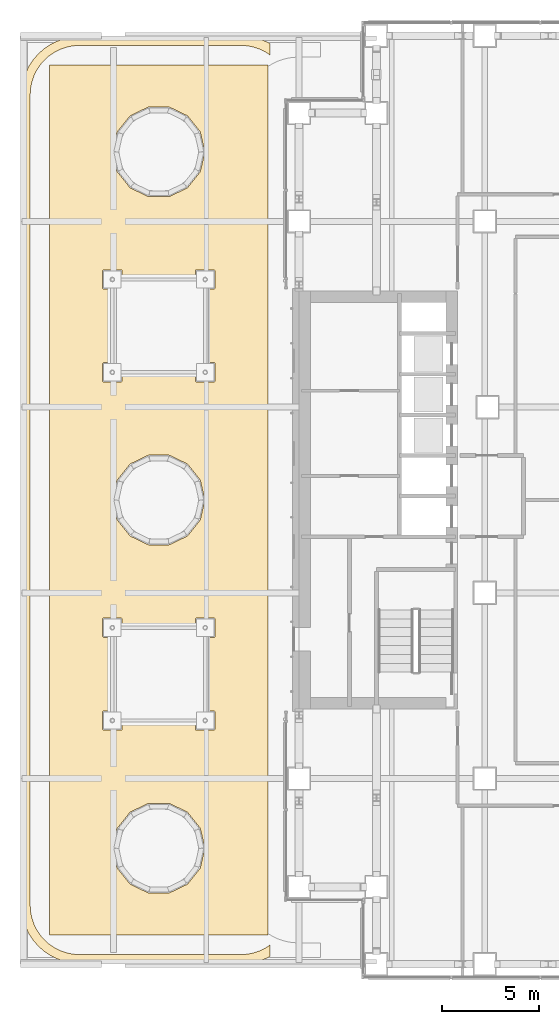
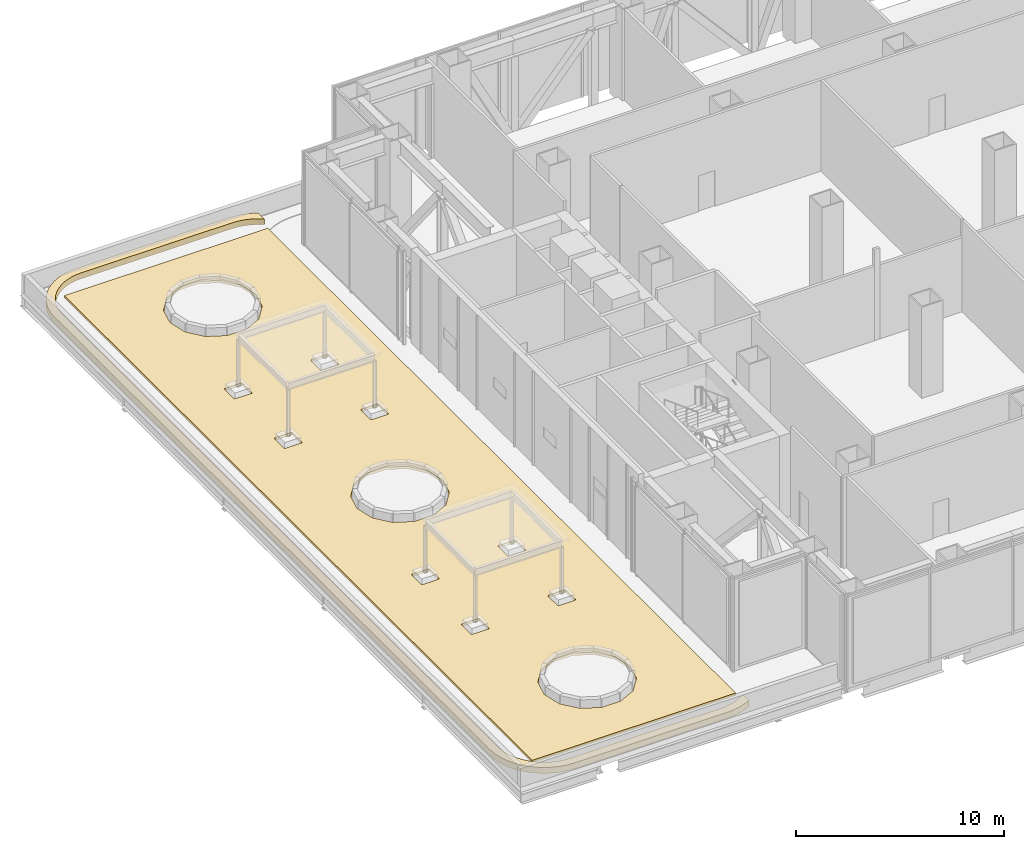
# One storey, part 30 of 39: 2 coverings.
"""IFC4 building model written with IfcOpenShell, lengths in metres."""

from ifc_helpers import new_model, si_unit, direction, frame, origin, place, context, subcontext, project, spatial, polyline, outline, extrude, material, layer, layer_set, type_object, element, save


model = new_model("IFC4")

# Units and contexts
model_context = context("Model", 3, precision=1e-05, world=origin(), true_north=direction((0.0, 1.0)))
body_context = subcontext(model_context, "Body", "Model", "MODEL_VIEW")
ifc_project = project(units=[si_unit("LENGTHUNIT", "METRE"), si_unit("AREAUNIT", "SQUARE_METRE"), si_unit("VOLUMEUNIT", "CUBIC_METRE"), si_unit("PLANEANGLEUNIT", "RADIAN"), si_unit("MASSUNIT", "GRAM", prefix="KILO")], contexts=[model_context])

# Site, building, storey
site_placement = place(None, origin())
site = spatial("IfcSite", under=ifc_project, at=site_placement, CompositionType="ELEMENT")
building_placement = place(site_placement, origin())
building = spatial("IfcBuilding", under=site, at=building_placement, Name="Cobrizo Arcos Hotel Tower", CompositionType="ELEMENT")
storey_placement = place(building_placement, frame((0.0, 0.0, 33.5)))
storey = spatial("IfcBuildingStorey", under=building, at=storey_placement, Name="L06", CompositionType="ELEMENT", Elevation=33.5)

# Coverings
ifc_material_1 = material(Name="Granite paving on sand bed", Category="masonry")
ifc_layer = layer(ifc_material_1, 0.14990234375)
ifc_layer_set = layer_set([ifc_layer], Name="PG-5 terrace paving 150")
covering_type_1 = type_object("IfcCoveringType", Name="PG-5 terrace paving 150", PredefinedType="FLOORING", material=ifc_layer_set)
covering_1_placement = place(storey_placement, origin())
element("IfcCovering", 1, at=covering_1_placement, inside=storey, type_object=covering_type_1, Name="Terrace paving 2", PredefinedType="FLOORING", context=body_context, shape_type="SweptSolid", body=[
    extrude(outline(polyline([(-36.89990234375, 22.5), (-25.60009765625, 22.5), (-25.60009765625, -22.5), (-36.89990234375, -22.5), (-36.89990234375, 22.5)]), holes=[polyline([(-29.309814453125, -11.89892578125), (-29.304931640625, -11.89990234375), (-29.300048828125, -11.89990234375), (-28.39990234375, -11.89990234375), (-28.39501953125, -11.89990234375), (-28.39013671875, -11.89892578125), (-28.385498046875, -11.897705078125), (-28.380859375, -11.896240234375), (-28.37646484375, -11.89404296875), (-28.372314453125, -11.8916015625), (-28.368408203125, -11.888671875), (-28.364501953125, -11.885498046875), (-28.361328125, -11.881591796875), (-28.3583984375, -11.877685546875), (-28.35595703125, -11.87353515625), (-28.353759765625, -11.869140625), (-28.352294921875, -11.864501953125), (-28.35107421875, -11.85986328125), (-28.35009765625, -11.85498046875), (-28.35009765625, -11.85009765625), (-28.35009765625, -10.949951171875), (-28.35009765625, -10.945068359375), (-28.35107421875, -10.940185546875), (-28.352294921875, -10.935546875), (-28.353759765625, -10.930908203125), (-28.35595703125, -10.926513671875), (-28.3583984375, -10.922119140625), (-28.361328125, -10.918212890625), (-28.364501953125, -10.91455078125), (-28.368408203125, -10.911376953125), (-28.372314453125, -10.908447265625), (-28.37646484375, -10.906005859375), (-28.380859375, -10.90380859375), (-28.385498046875, -10.902099609375), (-28.39013671875, -10.90087890625), (-28.39501953125, -10.900146484375), (-28.39990234375, -10.89990234375), (-29.300048828125, -10.89990234375), (-29.304931640625, -10.900146484375), (-29.309814453125, -10.90087890625), (-29.314453125, -10.902099609375), (-29.319091796875, -10.90380859375), (-29.323486328125, -10.906005859375), (-29.327880859375, -10.908447265625), (-29.331787109375, -10.911376953125), (-29.33544921875, -10.91455078125), (-29.338623046875, -10.918212890625), (-29.341552734375, -10.922119140625), (-29.343994140625, -10.926513671875), (-29.34619140625, -10.930908203125), (-29.347900390625, -10.935546875), (-29.34912109375, -10.940185546875), (-29.349853515625, -10.945068359375), (-29.35009765625, -10.949951171875), (-29.35009765625, -11.85009765625), (-29.349853515625, -11.85498046875), (-29.34912109375, -11.85986328125), (-29.347900390625, -11.864501953125), (-29.34619140625, -11.869140625), (-29.343994140625, -11.87353515625), (-29.341552734375, -11.877685546875), (-29.338623046875, -11.881591796875), (-29.33544921875, -11.885498046875), (-29.331787109375, -11.888671875), (-29.327880859375, -11.8916015625), (-29.323486328125, -11.89404296875), (-29.319091796875, -11.896240234375), (-29.314453125, -11.897705078125), (-29.309814453125, -11.89892578125)]), polyline([(-29.314453125, 10.902099609375), (-29.309814453125, 10.90087890625), (-29.304931640625, 10.900146484375), (-29.300048828125, 10.89990234375), (-28.39990234375, 10.89990234375), (-28.39501953125, 10.900146484375), (-28.39013671875, 10.90087890625), (-28.385498046875, 10.902099609375), (-28.380859375, 10.90380859375), (-28.37646484375, 10.906005859375), (-28.372314453125, 10.908447265625), (-28.368408203125, 10.911376953125), (-28.364501953125, 10.91455078125), (-28.361328125, 10.918212890625), (-28.3583984375, 10.922119140625), (-28.35595703125, 10.926513671875), (-28.353759765625, 10.930908203125), (-28.352294921875, 10.935546875), (-28.35107421875, 10.940185546875), (-28.35009765625, 10.945068359375), (-28.35009765625, 10.949951171875), (-28.35009765625, 11.85009765625), (-28.35009765625, 11.85498046875), (-28.35107421875, 11.85986328125), (-28.352294921875, 11.864501953125), (-28.353759765625, 11.869140625), (-28.35595703125, 11.87353515625), (-28.3583984375, 11.877685546875), (-28.361328125, 11.881591796875), (-28.364501953125, 11.885498046875), (-28.368408203125, 11.888671875), (-28.372314453125, 11.8916015625), (-28.37646484375, 11.89404296875), (-28.380859375, 11.896240234375), (-28.385498046875, 11.897705078125), (-28.39013671875, 11.89892578125), (-28.39501953125, 11.89990234375), (-28.39990234375, 11.89990234375), (-29.300048828125, 11.89990234375), (-29.304931640625, 11.89990234375), (-29.309814453125, 11.89892578125), (-29.314453125, 11.897705078125), (-29.319091796875, 11.896240234375), (-29.323486328125, 11.89404296875), (-29.327880859375, 11.8916015625), (-29.331787109375, 11.888671875), (-29.33544921875, 11.885498046875), (-29.338623046875, 11.881591796875), (-29.341552734375, 11.877685546875), (-29.343994140625, 11.87353515625), (-29.34619140625, 11.869140625), (-29.347900390625, 11.864501953125), (-29.34912109375, 11.85986328125), (-29.349853515625, 11.85498046875), (-29.35009765625, 11.85009765625), (-29.35009765625, 10.949951171875), (-29.349853515625, 10.945068359375), (-29.34912109375, 10.940185546875), (-29.347900390625, 10.935546875), (-29.34619140625, 10.930908203125), (-29.343994140625, 10.926513671875), (-29.341552734375, 10.922119140625), (-29.338623046875, 10.918212890625), (-29.33544921875, 10.91455078125), (-29.331787109375, 10.911376953125), (-29.327880859375, 10.908447265625), (-29.323486328125, 10.906005859375), (-29.319091796875, 10.90380859375), (-29.314453125, 10.902099609375)]), polyline([(-29.314453125, 6.102294921875), (-29.309814453125, 6.10107421875), (-29.304931640625, 6.10009765625), (-29.300048828125, 6.10009765625), (-28.39990234375, 6.10009765625), (-28.39501953125, 6.10009765625), (-28.39013671875, 6.10107421875), (-28.385498046875, 6.102294921875), (-28.380859375, 6.103759765625), (-28.37646484375, 6.10595703125), (-28.372314453125, 6.1083984375), (-28.368408203125, 6.111328125), (-28.364501953125, 6.114501953125), (-28.361328125, 6.118408203125), (-28.3583984375, 6.122314453125), (-28.35595703125, 6.12646484375), (-28.353759765625, 6.130859375), (-28.352294921875, 6.135498046875), (-28.35107421875, 6.14013671875), (-28.35009765625, 6.14501953125), (-28.35009765625, 6.14990234375), (-28.35009765625, 7.050048828125), (-28.35009765625, 7.054931640625), (-28.35107421875, 7.059814453125), (-28.352294921875, 7.064453125), (-28.353759765625, 7.069091796875), (-28.35595703125, 7.073486328125), (-28.3583984375, 7.077880859375), (-28.361328125, 7.081787109375), (-28.364501953125, 7.08544921875), (-28.368408203125, 7.088623046875), (-28.372314453125, 7.091552734375), (-28.37646484375, 7.093994140625), (-28.380859375, 7.09619140625), (-28.385498046875, 7.097900390625), (-28.39013671875, 7.09912109375), (-28.39501953125, 7.099853515625), (-28.39990234375, 7.10009765625), (-29.300048828125, 7.10009765625), (-29.304931640625, 7.099853515625), (-29.309814453125, 7.09912109375), (-29.314453125, 7.097900390625), (-29.319091796875, 7.09619140625), (-29.323486328125, 7.093994140625), (-29.327880859375, 7.091552734375), (-29.331787109375, 7.088623046875), (-29.33544921875, 7.08544921875), (-29.338623046875, 7.081787109375), (-29.341552734375, 7.077880859375), (-29.343994140625, 7.073486328125), (-29.34619140625, 7.069091796875), (-29.347900390625, 7.064453125), (-29.34912109375, 7.059814453125), (-29.349853515625, 7.054931640625), (-29.35009765625, 7.050048828125), (-29.35009765625, 6.14990234375), (-29.349853515625, 6.14501953125), (-29.34912109375, 6.14013671875), (-29.347900390625, 6.135498046875), (-29.34619140625, 6.130859375), (-29.343994140625, 6.12646484375), (-29.341552734375, 6.122314453125), (-29.338623046875, 6.118408203125), (-29.33544921875, 6.114501953125), (-29.331787109375, 6.111328125), (-29.327880859375, 6.1083984375), (-29.323486328125, 6.10595703125), (-29.319091796875, 6.103759765625), (-29.314453125, 6.102294921875)]), polyline([(-29.314453125, -7.097900390625), (-29.309814453125, -7.09912109375), (-29.304931640625, -7.099853515625), (-29.300048828125, -7.10009765625), (-28.39990234375, -7.10009765625), (-28.39501953125, -7.099853515625), (-28.39013671875, -7.09912109375), (-28.385498046875, -7.097900390625), (-28.380859375, -7.09619140625), (-28.37646484375, -7.093994140625), (-28.372314453125, -7.091552734375), (-28.368408203125, -7.088623046875), (-28.364501953125, -7.08544921875), (-28.361328125, -7.081787109375), (-28.3583984375, -7.077880859375), (-28.35595703125, -7.073486328125), (-28.353759765625, -7.069091796875), (-28.352294921875, -7.064453125), (-28.35107421875, -7.059814453125), (-28.35009765625, -7.054931640625), (-28.35009765625, -7.050048828125), (-28.35009765625, -6.14990234375), (-28.35009765625, -6.14501953125), (-28.35107421875, -6.14013671875), (-28.352294921875, -6.135498046875), (-28.353759765625, -6.130859375), (-28.35595703125, -6.12646484375), (-28.3583984375, -6.122314453125), (-28.361328125, -6.118408203125), (-28.364501953125, -6.114501953125), (-28.368408203125, -6.111328125), (-28.372314453125, -6.1083984375), (-28.37646484375, -6.10595703125), (-28.380859375, -6.103759765625), (-28.385498046875, -6.102294921875), (-28.39013671875, -6.10107421875), (-28.39501953125, -6.10009765625), (-28.39990234375, -6.10009765625), (-29.300048828125, -6.10009765625), (-29.304931640625, -6.10009765625), (-29.309814453125, -6.10107421875), (-29.314453125, -6.102294921875), (-29.319091796875, -6.103759765625), (-29.323486328125, -6.10595703125), (-29.327880859375, -6.1083984375), (-29.331787109375, -6.111328125), (-29.33544921875, -6.114501953125), (-29.338623046875, -6.118408203125), (-29.341552734375, -6.122314453125), (-29.343994140625, -6.12646484375), (-29.34619140625, -6.130859375), (-29.347900390625, -6.135498046875), (-29.34912109375, -6.14013671875), (-29.349853515625, -6.14501953125), (-29.35009765625, -6.14990234375), (-29.35009765625, -7.050048828125), (-29.349853515625, -7.054931640625), (-29.34912109375, -7.059814453125), (-29.347900390625, -7.064453125), (-29.34619140625, -7.069091796875), (-29.343994140625, -7.073486328125), (-29.341552734375, -7.077880859375), (-29.338623046875, -7.081787109375), (-29.33544921875, -7.08544921875), (-29.331787109375, -7.088623046875), (-29.327880859375, -7.091552734375), (-29.323486328125, -7.093994140625), (-29.319091796875, -7.09619140625), (-29.314453125, -7.097900390625)]), polyline([(-29.10693359375, -1.023193359375), (-29.101318359375, -1.008544921875), (-29.097412109375, -0.993408203125), (-28.87939453125, -0.038818359375), (-28.876708984375, -0.0234375), (-28.875244140625, -0.0078125), (-28.875244140625, 0.0078125), (-28.876708984375, 0.0234375), (-28.87939453125, 0.038818359375), (-29.097412109375, 0.993408203125), (-29.101318359375, 1.008544921875), (-29.10693359375, 1.023193359375), (-29.11376953125, 1.03759765625), (-29.121826171875, 1.051025390625), (-29.131103515625, 1.063720703125), (-29.741455078125, 1.8291015625), (-29.751708984375, 1.841064453125), (-29.76318359375, 1.851806640625), (-29.775390625, 1.861572265625), (-29.78857421875, 1.870361328125), (-29.802490234375, 1.877685546875), (-30.6845703125, 2.302490234375), (-30.698974609375, 2.30859375), (-30.7138671875, 2.3134765625), (-30.729248046875, 2.31689453125), (-30.744873046875, 2.319091796875), (-30.760498046875, 2.31982421875), (-31.739501953125, 2.31982421875), (-31.755126953125, 2.319091796875), (-31.770751953125, 2.31689453125), (-31.7861328125, 2.3134765625), (-31.801025390625, 2.30859375), (-31.8154296875, 2.302490234375), (-32.697509765625, 1.877685546875), (-32.71142578125, 1.870361328125), (-32.724609375, 1.861572265625), (-32.73681640625, 1.851806640625), (-32.748291015625, 1.841064453125), (-32.758544921875, 1.8291015625), (-33.368896484375, 1.063720703125), (-33.378173828125, 1.051025390625), (-33.38623046875, 1.03759765625), (-33.39306640625, 1.023193359375), (-33.398681640625, 1.008544921875), (-33.402587890625, 0.993408203125), (-33.62060546875, 0.038818359375), (-33.623291015625, 0.0234375), (-33.624755859375, 0.0078125), (-33.624755859375, -0.0078125), (-33.623291015625, -0.0234375), (-33.62060546875, -0.038818359375), (-33.402587890625, -0.993408203125), (-33.398681640625, -1.008544921875), (-33.39306640625, -1.023193359375), (-33.38623046875, -1.03759765625), (-33.378173828125, -1.051025390625), (-33.368896484375, -1.063720703125), (-32.758544921875, -1.8291015625), (-32.748291015625, -1.841064453125), (-32.73681640625, -1.851806640625), (-32.724609375, -1.861572265625), (-32.71142578125, -1.870361328125), (-32.697509765625, -1.877685546875), (-31.8154296875, -2.302490234375), (-31.801025390625, -2.30859375), (-31.7861328125, -2.3134765625), (-31.770751953125, -2.31689453125), (-31.755126953125, -2.319091796875), (-31.739501953125, -2.31982421875), (-30.760498046875, -2.31982421875), (-30.744873046875, -2.319091796875), (-30.729248046875, -2.31689453125), (-30.7138671875, -2.3134765625), (-30.698974609375, -2.30859375), (-30.6845703125, -2.302490234375), (-29.802490234375, -1.877685546875), (-29.78857421875, -1.870361328125), (-29.775390625, -1.861572265625), (-29.76318359375, -1.851806640625), (-29.751708984375, -1.841064453125), (-29.741455078125, -1.8291015625), (-29.131103515625, -1.063720703125), (-29.121826171875, -1.051025390625), (-29.11376953125, -1.03759765625), (-29.10693359375, -1.023193359375)]), polyline([(-29.10693359375, -19.023193359375), (-29.101318359375, -19.008544921875), (-29.097412109375, -18.993408203125), (-28.87939453125, -18.038818359375), (-28.876708984375, -18.0234375), (-28.875244140625, -18.0078125), (-28.875244140625, -17.9921875), (-28.876708984375, -17.9765625), (-28.87939453125, -17.961181640625), (-29.097412109375, -17.006591796875), (-29.101318359375, -16.991455078125), (-29.10693359375, -16.976806640625), (-29.11376953125, -16.96240234375), (-29.121826171875, -16.948974609375), (-29.131103515625, -16.936279296875), (-29.741455078125, -16.1708984375), (-29.751708984375, -16.158935546875), (-29.76318359375, -16.148193359375), (-29.775390625, -16.138427734375), (-29.78857421875, -16.129638671875), (-29.802490234375, -16.122314453125), (-30.6845703125, -15.697509765625), (-30.698974609375, -15.69140625), (-30.7138671875, -15.6865234375), (-30.729248046875, -15.68310546875), (-30.744873046875, -15.680908203125), (-30.760498046875, -15.68017578125), (-31.739501953125, -15.68017578125), (-31.755126953125, -15.680908203125), (-31.770751953125, -15.68310546875), (-31.7861328125, -15.6865234375), (-31.801025390625, -15.69140625), (-31.8154296875, -15.697509765625), (-32.697509765625, -16.122314453125), (-32.71142578125, -16.129638671875), (-32.724609375, -16.138427734375), (-32.73681640625, -16.148193359375), (-32.748291015625, -16.158935546875), (-32.758544921875, -16.1708984375), (-33.368896484375, -16.936279296875), (-33.378173828125, -16.948974609375), (-33.38623046875, -16.96240234375), (-33.39306640625, -16.976806640625), (-33.398681640625, -16.991455078125), (-33.402587890625, -17.006591796875), (-33.62060546875, -17.961181640625), (-33.623291015625, -17.9765625), (-33.624755859375, -17.9921875), (-33.624755859375, -18.0078125), (-33.623291015625, -18.0234375), (-33.62060546875, -18.038818359375), (-33.402587890625, -18.993408203125), (-33.398681640625, -19.008544921875), (-33.39306640625, -19.023193359375), (-33.38623046875, -19.03759765625), (-33.378173828125, -19.051025390625), (-33.368896484375, -19.063720703125), (-32.758544921875, -19.8291015625), (-32.748291015625, -19.841064453125), (-32.73681640625, -19.851806640625), (-32.724609375, -19.861572265625), (-32.71142578125, -19.870361328125), (-32.697509765625, -19.877685546875), (-31.8154296875, -20.302490234375), (-31.801025390625, -20.30859375), (-31.7861328125, -20.3134765625), (-31.770751953125, -20.31689453125), (-31.755126953125, -20.319091796875), (-31.739501953125, -20.31982421875), (-30.760498046875, -20.31982421875), (-30.744873046875, -20.319091796875), (-30.729248046875, -20.31689453125), (-30.7138671875, -20.3134765625), (-30.698974609375, -20.30859375), (-30.6845703125, -20.302490234375), (-29.802490234375, -19.877685546875), (-29.78857421875, -19.870361328125), (-29.775390625, -19.861572265625), (-29.76318359375, -19.851806640625), (-29.751708984375, -19.841064453125), (-29.741455078125, -19.8291015625), (-29.131103515625, -19.063720703125), (-29.121826171875, -19.051025390625), (-29.11376953125, -19.03759765625), (-29.10693359375, -19.023193359375)]), polyline([(-29.11376953125, 16.96240234375), (-29.10693359375, 16.976806640625), (-29.101318359375, 16.991455078125), (-29.097412109375, 17.006591796875), (-28.87939453125, 17.961181640625), (-28.876708984375, 17.9765625), (-28.875244140625, 17.9921875), (-28.875244140625, 18.0078125), (-28.876708984375, 18.0234375), (-28.87939453125, 18.038818359375), (-29.097412109375, 18.993408203125), (-29.101318359375, 19.008544921875), (-29.10693359375, 19.023193359375), (-29.11376953125, 19.03759765625), (-29.121826171875, 19.051025390625), (-29.131103515625, 19.063720703125), (-29.741455078125, 19.8291015625), (-29.751708984375, 19.841064453125), (-29.76318359375, 19.851806640625), (-29.775390625, 19.861572265625), (-29.78857421875, 19.870361328125), (-29.802490234375, 19.877685546875), (-30.6845703125, 20.302490234375), (-30.698974609375, 20.30859375), (-30.7138671875, 20.3134765625), (-30.729248046875, 20.31689453125), (-30.744873046875, 20.319091796875), (-30.760498046875, 20.31982421875), (-31.739501953125, 20.31982421875), (-31.755126953125, 20.319091796875), (-31.770751953125, 20.31689453125), (-31.7861328125, 20.3134765625), (-31.801025390625, 20.30859375), (-31.8154296875, 20.302490234375), (-32.697509765625, 19.877685546875), (-32.71142578125, 19.870361328125), (-32.724609375, 19.861572265625), (-32.73681640625, 19.851806640625), (-32.748291015625, 19.841064453125), (-32.758544921875, 19.8291015625), (-33.368896484375, 19.063720703125), (-33.378173828125, 19.051025390625), (-33.38623046875, 19.03759765625), (-33.39306640625, 19.023193359375), (-33.398681640625, 19.008544921875), (-33.402587890625, 18.993408203125), (-33.62060546875, 18.038818359375), (-33.623291015625, 18.0234375), (-33.624755859375, 18.0078125), (-33.624755859375, 17.9921875), (-33.623291015625, 17.9765625), (-33.62060546875, 17.961181640625), (-33.402587890625, 17.006591796875), (-33.398681640625, 16.991455078125), (-33.39306640625, 16.976806640625), (-33.38623046875, 16.96240234375), (-33.378173828125, 16.948974609375), (-33.368896484375, 16.936279296875), (-32.758544921875, 16.1708984375), (-32.748291015625, 16.158935546875), (-32.73681640625, 16.148193359375), (-32.724609375, 16.138427734375), (-32.71142578125, 16.129638671875), (-32.697509765625, 16.122314453125), (-31.8154296875, 15.697509765625), (-31.801025390625, 15.69140625), (-31.7861328125, 15.6865234375), (-31.770751953125, 15.68310546875), (-31.755126953125, 15.680908203125), (-31.739501953125, 15.68017578125), (-30.760498046875, 15.68017578125), (-30.744873046875, 15.680908203125), (-30.729248046875, 15.68310546875), (-30.7138671875, 15.6865234375), (-30.698974609375, 15.69140625), (-30.6845703125, 15.697509765625), (-29.802490234375, 16.122314453125), (-29.78857421875, 16.129638671875), (-29.775390625, 16.138427734375), (-29.76318359375, 16.148193359375), (-29.751708984375, 16.158935546875), (-29.741455078125, 16.1708984375), (-29.131103515625, 16.936279296875), (-29.121826171875, 16.948974609375), (-29.11376953125, 16.96240234375)]), polyline([(-34.10986328125, 10.90087890625), (-34.10498046875, 10.900146484375), (-34.10009765625, 10.89990234375), (-33.199951171875, 10.89990234375), (-33.195068359375, 10.900146484375), (-33.190185546875, 10.90087890625), (-33.185546875, 10.902099609375), (-33.180908203125, 10.90380859375), (-33.176513671875, 10.906005859375), (-33.172119140625, 10.908447265625), (-33.168212890625, 10.911376953125), (-33.16455078125, 10.91455078125), (-33.161376953125, 10.918212890625), (-33.158447265625, 10.922119140625), (-33.156005859375, 10.926513671875), (-33.15380859375, 10.930908203125), (-33.152099609375, 10.935546875), (-33.15087890625, 10.940185546875), (-33.150146484375, 10.945068359375), (-33.14990234375, 10.949951171875), (-33.14990234375, 11.85009765625), (-33.150146484375, 11.85498046875), (-33.15087890625, 11.85986328125), (-33.152099609375, 11.864501953125), (-33.15380859375, 11.869140625), (-33.156005859375, 11.87353515625), (-33.158447265625, 11.877685546875), (-33.161376953125, 11.881591796875), (-33.16455078125, 11.885498046875), (-33.168212890625, 11.888671875), (-33.172119140625, 11.8916015625), (-33.176513671875, 11.89404296875), (-33.180908203125, 11.896240234375), (-33.185546875, 11.897705078125), (-33.190185546875, 11.89892578125), (-33.195068359375, 11.89990234375), (-33.199951171875, 11.89990234375), (-34.10009765625, 11.89990234375), (-34.10498046875, 11.89990234375), (-34.10986328125, 11.89892578125), (-34.114501953125, 11.897705078125), (-34.119140625, 11.896240234375), (-34.12353515625, 11.89404296875), (-34.127685546875, 11.8916015625), (-34.131591796875, 11.888671875), (-34.135498046875, 11.885498046875), (-34.138671875, 11.881591796875), (-34.1416015625, 11.877685546875), (-34.14404296875, 11.87353515625), (-34.146240234375, 11.869140625), (-34.147705078125, 11.864501953125), (-34.14892578125, 11.85986328125), (-34.14990234375, 11.85498046875), (-34.14990234375, 11.85009765625), (-34.14990234375, 10.949951171875), (-34.14990234375, 10.945068359375), (-34.14892578125, 10.940185546875), (-34.147705078125, 10.935546875), (-34.146240234375, 10.930908203125), (-34.14404296875, 10.926513671875), (-34.1416015625, 10.922119140625), (-34.138671875, 10.918212890625), (-34.135498046875, 10.91455078125), (-34.131591796875, 10.911376953125), (-34.127685546875, 10.908447265625), (-34.12353515625, 10.906005859375), (-34.119140625, 10.90380859375), (-34.114501953125, 10.902099609375), (-34.10986328125, 10.90087890625)]), polyline([(-34.10986328125, -11.89892578125), (-34.10498046875, -11.89990234375), (-34.10009765625, -11.89990234375), (-33.199951171875, -11.89990234375), (-33.195068359375, -11.89990234375), (-33.190185546875, -11.89892578125), (-33.185546875, -11.897705078125), (-33.180908203125, -11.896240234375), (-33.176513671875, -11.89404296875), (-33.172119140625, -11.8916015625), (-33.168212890625, -11.888671875), (-33.16455078125, -11.885498046875), (-33.161376953125, -11.881591796875), (-33.158447265625, -11.877685546875), (-33.156005859375, -11.87353515625), (-33.15380859375, -11.869140625), (-33.152099609375, -11.864501953125), (-33.15087890625, -11.85986328125), (-33.150146484375, -11.85498046875), (-33.14990234375, -11.85009765625), (-33.14990234375, -10.949951171875), (-33.150146484375, -10.945068359375), (-33.15087890625, -10.940185546875), (-33.152099609375, -10.935546875), (-33.15380859375, -10.930908203125), (-33.156005859375, -10.926513671875), (-33.158447265625, -10.922119140625), (-33.161376953125, -10.918212890625), (-33.16455078125, -10.91455078125), (-33.168212890625, -10.911376953125), (-33.172119140625, -10.908447265625), (-33.176513671875, -10.906005859375), (-33.180908203125, -10.90380859375), (-33.185546875, -10.902099609375), (-33.190185546875, -10.90087890625), (-33.195068359375, -10.900146484375), (-33.199951171875, -10.89990234375), (-34.10009765625, -10.89990234375), (-34.10498046875, -10.900146484375), (-34.10986328125, -10.90087890625), (-34.114501953125, -10.902099609375), (-34.119140625, -10.90380859375), (-34.12353515625, -10.906005859375), (-34.127685546875, -10.908447265625), (-34.131591796875, -10.911376953125), (-34.135498046875, -10.91455078125), (-34.138671875, -10.918212890625), (-34.1416015625, -10.922119140625), (-34.14404296875, -10.926513671875), (-34.146240234375, -10.930908203125), (-34.147705078125, -10.935546875), (-34.14892578125, -10.940185546875), (-34.14990234375, -10.945068359375), (-34.14990234375, -10.949951171875), (-34.14990234375, -11.85009765625), (-34.14990234375, -11.85498046875), (-34.14892578125, -11.85986328125), (-34.147705078125, -11.864501953125), (-34.146240234375, -11.869140625), (-34.14404296875, -11.87353515625), (-34.1416015625, -11.877685546875), (-34.138671875, -11.881591796875), (-34.135498046875, -11.885498046875), (-34.131591796875, -11.888671875), (-34.127685546875, -11.8916015625), (-34.12353515625, -11.89404296875), (-34.119140625, -11.896240234375), (-34.114501953125, -11.897705078125), (-34.10986328125, -11.89892578125)]), polyline([(-34.114501953125, 6.102294921875), (-34.10986328125, 6.10107421875), (-34.10498046875, 6.10009765625), (-34.10009765625, 6.10009765625), (-33.199951171875, 6.10009765625), (-33.195068359375, 6.10009765625), (-33.190185546875, 6.10107421875), (-33.185546875, 6.102294921875), (-33.180908203125, 6.103759765625), (-33.176513671875, 6.10595703125), (-33.172119140625, 6.1083984375), (-33.168212890625, 6.111328125), (-33.16455078125, 6.114501953125), (-33.161376953125, 6.118408203125), (-33.158447265625, 6.122314453125), (-33.156005859375, 6.12646484375), (-33.15380859375, 6.130859375), (-33.152099609375, 6.135498046875), (-33.15087890625, 6.14013671875), (-33.150146484375, 6.14501953125), (-33.14990234375, 6.14990234375), (-33.14990234375, 7.050048828125), (-33.150146484375, 7.054931640625), (-33.15087890625, 7.059814453125), (-33.152099609375, 7.064453125), (-33.15380859375, 7.069091796875), (-33.156005859375, 7.073486328125), (-33.158447265625, 7.077880859375), (-33.161376953125, 7.081787109375), (-33.16455078125, 7.08544921875), (-33.168212890625, 7.088623046875), (-33.172119140625, 7.091552734375), (-33.176513671875, 7.093994140625), (-33.180908203125, 7.09619140625), (-33.185546875, 7.097900390625), (-33.190185546875, 7.09912109375), (-33.195068359375, 7.099853515625), (-33.199951171875, 7.10009765625), (-34.10009765625, 7.10009765625), (-34.10498046875, 7.099853515625), (-34.10986328125, 7.09912109375), (-34.114501953125, 7.097900390625), (-34.119140625, 7.09619140625), (-34.12353515625, 7.093994140625), (-34.127685546875, 7.091552734375), (-34.131591796875, 7.088623046875), (-34.135498046875, 7.08544921875), (-34.138671875, 7.081787109375), (-34.1416015625, 7.077880859375), (-34.14404296875, 7.073486328125), (-34.146240234375, 7.069091796875), (-34.147705078125, 7.064453125), (-34.14892578125, 7.059814453125), (-34.14990234375, 7.054931640625), (-34.14990234375, 7.050048828125), (-34.14990234375, 6.14990234375), (-34.14990234375, 6.14501953125), (-34.14892578125, 6.14013671875), (-34.147705078125, 6.135498046875), (-34.146240234375, 6.130859375), (-34.14404296875, 6.12646484375), (-34.1416015625, 6.122314453125), (-34.138671875, 6.118408203125), (-34.135498046875, 6.114501953125), (-34.131591796875, 6.111328125), (-34.127685546875, 6.1083984375), (-34.12353515625, 6.10595703125), (-34.119140625, 6.103759765625), (-34.114501953125, 6.102294921875)]), polyline([(-34.114501953125, -7.097900390625), (-34.10986328125, -7.09912109375), (-34.10498046875, -7.099853515625), (-34.10009765625, -7.10009765625), (-33.199951171875, -7.10009765625), (-33.195068359375, -7.099853515625), (-33.190185546875, -7.09912109375), (-33.185546875, -7.097900390625), (-33.180908203125, -7.09619140625), (-33.176513671875, -7.093994140625), (-33.172119140625, -7.091552734375), (-33.168212890625, -7.088623046875), (-33.16455078125, -7.08544921875), (-33.161376953125, -7.081787109375), (-33.158447265625, -7.077880859375), (-33.156005859375, -7.073486328125), (-33.15380859375, -7.069091796875), (-33.152099609375, -7.064453125), (-33.15087890625, -7.059814453125), (-33.150146484375, -7.054931640625), (-33.14990234375, -7.050048828125), (-33.14990234375, -6.14990234375), (-33.150146484375, -6.14501953125), (-33.15087890625, -6.14013671875), (-33.152099609375, -6.135498046875), (-33.15380859375, -6.130859375), (-33.156005859375, -6.12646484375), (-33.158447265625, -6.122314453125), (-33.161376953125, -6.118408203125), (-33.16455078125, -6.114501953125), (-33.168212890625, -6.111328125), (-33.172119140625, -6.1083984375), (-33.176513671875, -6.10595703125), (-33.180908203125, -6.103759765625), (-33.185546875, -6.102294921875), (-33.190185546875, -6.10107421875), (-33.195068359375, -6.10009765625), (-33.199951171875, -6.10009765625), (-34.10009765625, -6.10009765625), (-34.10498046875, -6.10009765625), (-34.10986328125, -6.10107421875), (-34.114501953125, -6.102294921875), (-34.119140625, -6.103759765625), (-34.12353515625, -6.10595703125), (-34.127685546875, -6.1083984375), (-34.131591796875, -6.111328125), (-34.135498046875, -6.114501953125), (-34.138671875, -6.118408203125), (-34.1416015625, -6.122314453125), (-34.14404296875, -6.12646484375), (-34.146240234375, -6.130859375), (-34.147705078125, -6.135498046875), (-34.14892578125, -6.14013671875), (-34.14990234375, -6.14501953125), (-34.14990234375, -6.14990234375), (-34.14990234375, -7.050048828125), (-34.14990234375, -7.054931640625), (-34.14892578125, -7.059814453125), (-34.147705078125, -7.064453125), (-34.146240234375, -7.069091796875), (-34.14404296875, -7.073486328125), (-34.1416015625, -7.077880859375), (-34.138671875, -7.081787109375), (-34.135498046875, -7.08544921875), (-34.131591796875, -7.088623046875), (-34.127685546875, -7.091552734375), (-34.12353515625, -7.093994140625), (-34.119140625, -7.09619140625), (-34.114501953125, -7.097900390625)])]), origin(), (0.0, 0.0, 1.0), 0.14990234375),
])
ifc_material_2 = material(Name="Aluminium 6063-T6 anodised pale", Category="aluminium")
covering_type_2 = type_object("IfcCoveringType", Name="RC-4 rounded podium coping 450x350", PredefinedType="CLADDING", material=ifc_material_2)
covering_2_placement = place(storey_placement, origin())
element("IfcCovering", 2, at=covering_2_placement, inside=storey, type_object=covering_type_2, Name="Rounded podium roof coping 2", PredefinedType="CLADDING", context=body_context, shape_type="SweptSolid", body=[
    extrude(outline(polyline([(-36.12646484375, -23.847900390625), (-36.498046875, -23.7216796875), (-36.85009765625, -23.548095703125), (-37.17626953125, -23.330078125), (-37.47119140625, -23.0712890625), (-37.72998046875, -22.7763671875), (-37.947998046875, -22.449951171875), (-38.12158203125, -22.09814453125), (-38.247802734375, -21.7265625), (-38.32421875, -21.341552734375), (-38.35009765625, -20.949951171875), (-38.35009765625, 20.949951171875), (-38.32421875, 21.341552734375), (-38.247802734375, 21.7265625), (-38.12158203125, 22.09814453125), (-37.947998046875, 22.449951171875), (-37.72998046875, 22.7763671875), (-37.47119140625, 23.0712890625), (-37.17626953125, 23.330078125), (-36.85009765625, 23.548095703125), (-36.498046875, 23.7216796875), (-36.12646484375, 23.847900390625), (-35.74169921875, 23.92431640625), (-35.35009765625, 23.949951171875), (-26.90576171875, 23.949951171875), (-26.50048828125, 23.922607421875), (-26.102294921875, 23.84033203125), (-25.718994140625, 23.705322265625), (-25.5, 23.5927734375), (-25.5, 23.008544921875), (-25.500244140625, 23.0087890625), (-25.771484375, 23.181884765625), (-26.062255859375, 23.3193359375), (-26.367919921875, 23.419189453125), (-26.683837890625, 23.479736328125), (-27.0048828125, 23.5), (-35.35009765625, 23.5), (-35.682861328125, 23.478271484375), (-36.010009765625, 23.4130859375), (-36.32568359375, 23.305908203125), (-36.625, 23.158447265625), (-36.90234375, 22.97314453125), (-37.153076171875, 22.753173828125), (-37.373046875, 22.502197265625), (-37.558349609375, 22.22509765625), (-37.705810546875, 21.92578125), (-37.81298828125, 21.610107421875), (-37.878173828125, 21.28271484375), (-37.89990234375, 20.949951171875), (-37.89990234375, -20.949951171875), (-37.878173828125, -21.28271484375), (-37.81298828125, -21.610107421875), (-37.705810546875, -21.92578125), (-37.558349609375, -22.22509765625), (-37.373046875, -22.502197265625), (-37.153076171875, -22.753173828125), (-36.90234375, -22.97314453125), (-36.625, -23.158447265625), (-36.32568359375, -23.305908203125), (-36.010009765625, -23.4130859375), (-35.682861328125, -23.478271484375), (-35.35009765625, -23.5), (-27.0048828125, -23.5), (-26.683837890625, -23.479736328125), (-26.367919921875, -23.419189453125), (-26.062255859375, -23.3193359375), (-25.771484375, -23.181884765625), (-25.500244140625, -23.0087890625), (-25.5, -23.008544921875), (-25.5, -23.5927734375), (-25.718994140625, -23.705322265625), (-26.102294921875, -23.84033203125), (-26.50048828125, -23.922607421875), (-26.90576171875, -23.949951171875), (-35.35009765625, -23.949951171875), (-35.74169921875, -23.92431640625), (-36.12646484375, -23.847900390625)])), origin(), (0.0, 0.0, 1.0), 0.35009765625),
])

save(model, "model.ifc")
